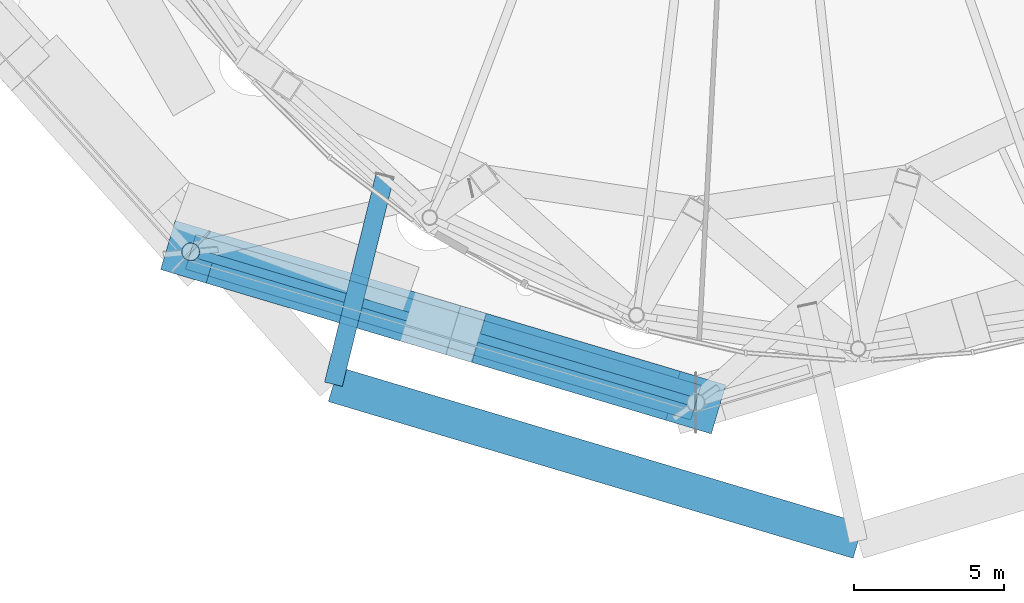
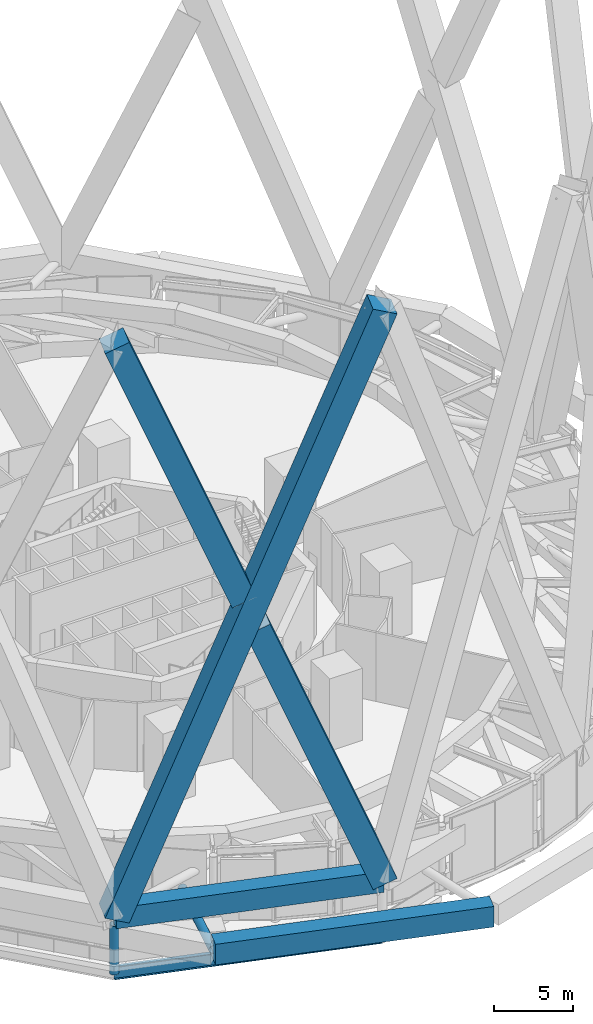
# One storey, part 2 of 51: 7 members, 1 beam.
"""IFC4 building model written with IfcOpenShell, lengths in metres."""

from ifc_helpers import new_model, si_unit, direction, frame, origin, origin_2d, place, context, subcontext, project, spatial, rectangle, hollow_circle, i_section, extrude, material, material_profile, profile_set, type_object, element, save


model = new_model("IFC4")

# Units and contexts
model_context = context("Model", 3, precision=1e-05, world=origin(), true_north=direction((0.0, 1.0)))
body_context = subcontext(model_context, "Body", "Model", "MODEL_VIEW")
ifc_project = project(units=[si_unit("LENGTHUNIT", "METRE"), si_unit("AREAUNIT", "SQUARE_METRE"), si_unit("VOLUMEUNIT", "CUBIC_METRE"), si_unit("PLANEANGLEUNIT", "RADIAN"), si_unit("MASSUNIT", "GRAM", prefix="KILO")], contexts=[model_context])

# Site, building, storey
site_placement = place(None, origin())
site = spatial("IfcSite", under=ifc_project, at=site_placement, CompositionType="ELEMENT")
building_placement = place(site_placement, origin())
building = spatial("IfcBuilding", under=site, at=building_placement, Name="Nagisa Residences", CompositionType="ELEMENT")
storey_placement = place(building_placement, frame((0.0, 0.0, 67.699951171875)))
storey = spatial("IfcBuildingStorey", under=building, at=storey_placement, Name="L16", CompositionType="ELEMENT", Elevation=67.699951171875)

# Members
ifc_material_1 = material(Name="Concrete C80", Category="concrete")
ifc_material_profile_1 = material_profile(ifc_material_1, rectangle(XDim=1.699951171875, YDim=1.699951171875, at=origin_2d()), Name="C80 1700x1700")
ifc_profile_set_1 = profile_set([ifc_material_profile_1], Name="Concrete C80")
member_type_1 = type_object("IfcMemberType", Name="Cage diagonal 2 C80 1700x1700", PredefinedType="BRACE", material=ifc_profile_set_1)
member_1_placement = place(storey_placement, frame((-18.597412109375, -29.28466796875, 3.699951171875), z_axis=(0.351202707662, -0.104806459023, 0.930415103208), x_axis=(0.285959942538, 0.958241572498, 0.0)))
element("IfcMember", 1, at=member_1_placement, inside=storey, type_object=member_type_1, Name="mem:L16:cg2d017", PredefinedType="BRACE", context=body_context, shape_type="SweptSolid", body=[
    extrude(rectangle(XDim=1.699951171875, YDim=1.699951171875, at=origin_2d()), origin(), (0.0, 0.0, 1.0), 47.828125),
])
member_2_placement = place(storey_placement, frame((-1.800048828125, -34.29736328125, 3.699951171875), z_axis=(-0.351201722153, 0.104810637429, 0.930415004521), x_axis=(-0.285971147664, -0.958238228575, 0.0)))
element("IfcMember", 2, at=member_2_placement, inside=storey, type_object=member_type_1, Name="mem:L16:cg2d018a", PredefinedType="BRACE", context=body_context, shape_type="SweptSolid", body=[
    extrude(rectangle(XDim=1.699951171875, YDim=1.699951171875, at=origin_2d()), origin(), (0.0, 0.0, 1.0), 22.687744140625),
])
member_3_placement = place(storey_placement, frame((-10.62939453125, -31.662353515625, 27.091064453125), z_axis=(-0.351205634531, 0.104801044051, 0.930414608354), x_axis=(-0.285944187923, -0.958246273874, 0.0)))
element("IfcMember", 3, at=member_3_placement, inside=storey, type_object=member_type_1, Name="mem:L16:cg2d018b", PredefinedType="BRACE", context=body_context, shape_type="SweptSolid", body=[
    extrude(rectangle(XDim=1.699951171875, YDim=1.699951171875, at=origin_2d()), origin(), (0.0, 0.0, 1.0), 22.6875),
])
ifc_material_2 = material(Name="Concrete C80", Category="concrete")
ifc_material_profile_2 = material_profile(ifc_material_2, rectangle(XDim=1.199951171875, YDim=1.60009765625, at=origin_2d()), Name="C80 1200x1600")
ifc_profile_set_2 = profile_set([ifc_material_profile_2], Name="Concrete C80")
member_type_2 = type_object("IfcMemberType", Name="Cage ring 1 C80 1200x1600", PredefinedType="CHORD", material=ifc_profile_set_2)
member_4_placement = place(storey_placement, frame((-13.85009765625, -33.6884765625, 1.900146484375), z_axis=(0.958182701553, -0.28615714292, 0.0), x_axis=(0.28615714292, 0.958182701553, 0.0)))
element("IfcMember", 4, at=member_4_placement, inside=storey, type_object=member_type_2, Name="beam:L16:cg1r209", PredefinedType="CHORD", context=body_context, shape_type="SweptSolid", body=[
    extrude(rectangle(XDim=1.199951171875, YDim=1.60009765625, at=origin_2d()), origin(), (0.0, 0.0, 1.0), 18.211669921875),
])
ifc_material_3 = material(Name="Concrete C80", Category="concrete")
ifc_material_profile_3 = material_profile(ifc_material_3, rectangle(XDim=1.199951171875, YDim=1.60009765625, at=origin_2d()), Name="C80 1200x1600")
ifc_profile_set_3 = profile_set([ifc_material_profile_3], Name="Concrete C80")
member_type_3 = type_object("IfcMemberType", Name="Cage ring 2 C80 1200x1600", PredefinedType="CHORD", material=ifc_profile_set_3)
member_5_placement = place(storey_placement, frame((-18.597412109375, -29.28466796875, 3.699951171875), z_axis=(0.958241572498, -0.285959942538, 0.0), x_axis=(0.285959942538, 0.958241572498, 0.0)))
element("IfcMember", 5, at=member_5_placement, inside=storey, type_object=member_type_3, Name="beam:L16:cg2r009", PredefinedType="CHORD", context=body_context, shape_type="SweptSolid", body=[
    extrude(rectangle(XDim=1.199951171875, YDim=1.60009765625, at=origin_2d()), origin(), (0.0, 0.0, 1.0), 17.529296875),
])
ifc_material_4 = material(Name="Steel ASTM A572 Gr 65", Category="steel")
ifc_material_profile_4 = material_profile(ifc_material_4, hollow_circle(Radius=0.304931640625, WallThickness=0.02490234375, at=origin_2d()), Name="CHS 610x25")
ifc_profile_set_4 = profile_set([ifc_material_profile_4], Name="Steel ASTM A572 Gr 65")
member_type_4 = type_object("IfcMemberType", Name="Cage strut CHS 610x25", PredefinedType="STRUT", material=ifc_profile_set_4)
member_6_placement = place(storey_placement, frame((-13.85009765625, -33.6884765625, 1.900146484375), z_axis=(0.239611281258, 0.970868906647, 0.0), x_axis=(-0.970868906647, 0.239611281258, 0.0)))
element("IfcMember", 6, at=member_6_placement, inside=storey, type_object=member_type_4, Name="mem:L16:bt1st1a09", PredefinedType="STRUT", context=body_context, shape_type="SweptSolid", body=[
    extrude(hollow_circle(Radius=0.304931640625, WallThickness=0.02490234375, at=origin_2d()), origin(), (0.0, 0.0, 1.0), 7.13330078125),
])

# Beam
ifc_material_5 = material(Name="Steel ASTM A572 Gr 50", Category="steel")
ifc_material_profile_5 = material_profile(ifc_material_5, i_section(OverallWidth=0.300048828125, OverallDepth=0.97998046875, WebThickness=0.0166015625, FlangeThickness=0.02587890625, at=origin_2d()), Name="W1000x249")
ifc_profile_set_5 = profile_set([ifc_material_profile_5], Name="Steel ASTM A572 Gr 50")
beam_type = type_object("IfcBeamType", Name="Deck edge beam W1000x249", PredefinedType="BEAM", material=ifc_profile_set_5)
beam_placement = place(storey_placement, frame((-18.597412109375, -29.28466796875, -0.889892578125), z_axis=(0.958241572498, -0.285959942538, 0.0), x_axis=(0.285959942538, 0.958241572498, 0.0)))
element("IfcBeam", 7, at=beam_placement, inside=storey, type_object=beam_type, Name="beam:L16:deckedge09", PredefinedType="BEAM", context=body_context, shape_type="SweptSolid", body=[
    extrude(i_section(OverallWidth=0.300048828125, OverallDepth=0.97998046875, WebThickness=0.0166015625, FlangeThickness=0.02587890625, at=origin_2d()), origin(), (0.0, 0.0, 1.0), 17.529296875),
])

# Member
ifc_material_6 = material(Name="Steel ASTM A572 Gr 65", Category="steel")
ifc_material_profile_6 = material_profile(ifc_material_6, hollow_circle(Radius=0.304931640625, WallThickness=0.02490234375, at=origin_2d()), Name="CHS 610x25")
ifc_profile_set_6 = profile_set([ifc_material_profile_6], Name="Steel ASTM A572 Gr 65")
member_type_5 = type_object("IfcMemberType", Name="Deck hanger CHS 610x25", PredefinedType="POST", material=ifc_profile_set_6)
member_7_placement = place(storey_placement, frame((-18.597412109375, -29.28466796875, 2.900146484375), z_axis=(0.0, 0.0, -1.0), x_axis=(1.0, 0.0, 0.0)))
element("IfcMember", 8, at=member_7_placement, inside=storey, type_object=member_type_5, Name="mem:L16:deckhanger08", PredefinedType="POST", context=body_context, shape_type="SweptSolid", body=[
    extrude(hollow_circle(Radius=0.304931640625, WallThickness=0.02490234375, at=origin_2d()), origin(), (0.0, 0.0, 1.0), 3.7900390625),
])

save(model, "model.ifc")
